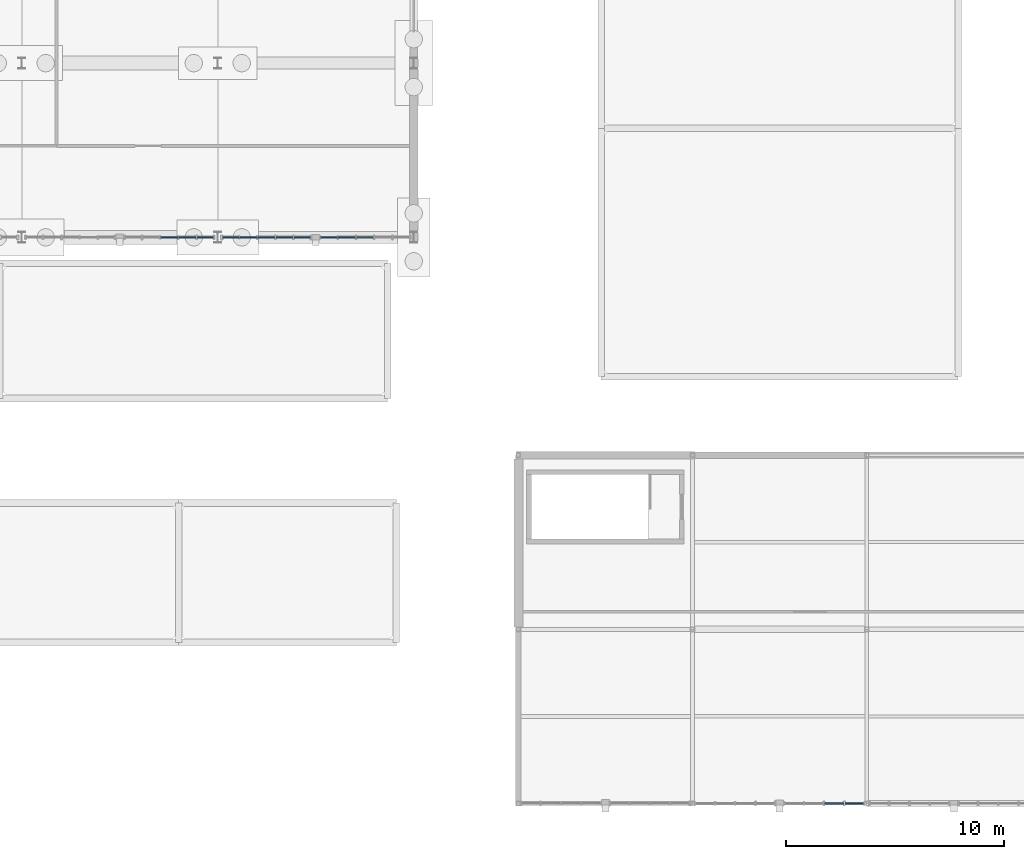
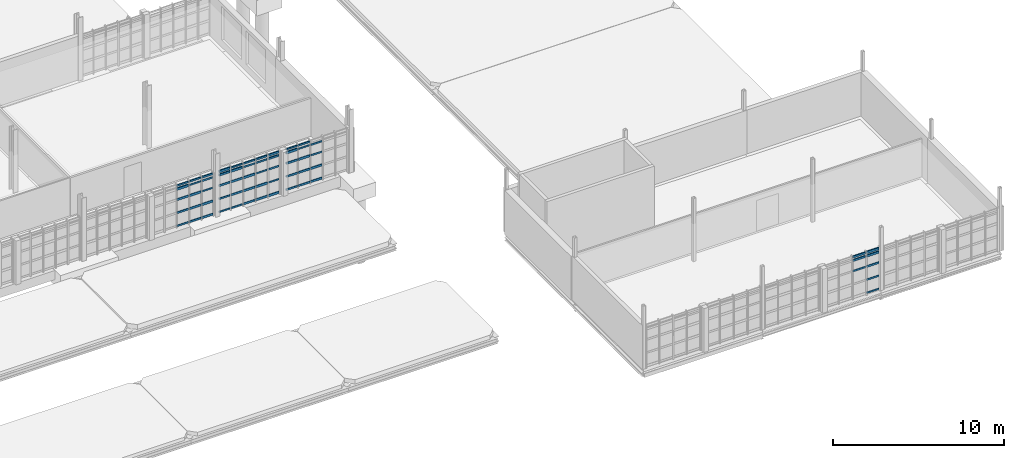
# One storey, part 68 of 125: 62 members, 4 elements without a shape of their own.
"""IFC4 building model written with IfcOpenShell, lengths in metres."""

from ifc_helpers import new_model, si_unit, direction, frame, origin, origin_2d, place, context, subcontext, project, spatial, rectangle, extrude, material, material_profile, profile_set, type_object, element, aggregate, save


model = new_model("IFC4")

# Units and contexts
model_context = context("Model", 3, precision=1e-05, world=origin(), true_north=direction((0.0, 1.0)))
body_context = subcontext(model_context, "Body", "Model", "MODEL_VIEW")
ifc_project = project(units=[si_unit("LENGTHUNIT", "METRE"), si_unit("AREAUNIT", "SQUARE_METRE"), si_unit("VOLUMEUNIT", "CUBIC_METRE"), si_unit("PLANEANGLEUNIT", "RADIAN"), si_unit("MASSUNIT", "GRAM", prefix="KILO")], contexts=[model_context])

# Site, building, storey
site_placement = place(None, origin())
site = spatial("IfcSite", under=ifc_project, at=site_placement, CompositionType="ELEMENT")
building_placement = place(site_placement, origin())
building = spatial("IfcBuilding", under=site, at=building_placement, Name="Serraforn Aerial Cableway Station", CompositionType="ELEMENT")
storey_placement = place(building_placement, frame((0.0, 0.0, 4.5)))
storey = spatial("IfcBuildingStorey", under=building, at=storey_placement, Name="L01", CompositionType="ELEMENT", Elevation=4.5)

# Curtain wall, member
ifc_material_1 = material(Name="Anodised bronze unitised curtain wall")
curtain_wall_type_1 = type_object("IfcCurtainWallType", Name="CW-SYS-6", PredefinedType="USERDEFINED", material=ifc_material_1)
curtain_wall_1_placement = place(storey_placement, origin())
curtain_wall_1 = element("IfcCurtainWall", 1, at=curtain_wall_1_placement, inside=storey, type_object=curtain_wall_type_1, Name="Unitised Curtain Wall CW-ES-L01-S2B", ObjectType="UNITISED CURTAIN WALL", PredefinedType="USERDEFINED")
ifc_material_2 = material(Name="Anodised bronze extruded aluminium", Category="aluminium")
ifc_material_profile_1 = material_profile(ifc_material_2, rectangle(XDim=0.054931640625, YDim=0.110107421875, at=origin_2d()), Name="CW TRANSOM 55x110")
ifc_profile_set_1 = profile_set([ifc_material_profile_1], Name="Anodised bronze extruded aluminium")
member_type_1 = type_object("IfcMemberType", Name="CW-TRN-1", PredefinedType="USERDEFINED", material=ifc_profile_set_1)
member_1_placement = place(storey_placement, frame((159.007080078125, 0.0, 0.124755859375), z_axis=(1.0, 0.0, 0.0), x_axis=(0.0, 1.0, 0.0)))
member_1 = element("IfcMember", 2, at=member_1_placement, type_object=member_type_1, Name="Curtain Wall Transom CW-ES-L01-S2B-T4-1", ObjectType="TRANSOM", PredefinedType="USERDEFINED", context=body_context, shape_type="SweptSolid", body=[
    extrude(rectangle(XDim=0.054931640625, YDim=0.110107421875, at=origin_2d()), origin(), (0.0, 0.0, 1.0), 0.842041015625),
])

# Curtain wall, members
curtain_wall_type_2 = type_object("IfcCurtainWallType", Name="CW-SYS-18", PredefinedType="USERDEFINED", material=ifc_material_1)
curtain_wall_2_placement = place(storey_placement, origin())
curtain_wall_2 = element("IfcCurtainWall", 3, at=curtain_wall_2_placement, inside=storey, type_object=curtain_wall_type_2, Name="Unitised Curtain Wall CW-EL-L01-S4B", ObjectType="UNITISED CURTAIN WALL", PredefinedType="USERDEFINED")
member_2_placement = place(storey_placement, frame((127.57421875, 26.0, 2.9951171875), z_axis=(1.0, 0.0, 0.0), x_axis=(0.0, 1.0, 0.0)))
member_2 = element("IfcMember", 4, at=member_2_placement, type_object=member_type_1, Name="Curtain Wall Transom CW-EL-L01-S4B-T3-5", ObjectType="TRANSOM", PredefinedType="USERDEFINED", context=body_context, shape_type="SweptSolid", body=[
    extrude(rectangle(XDim=0.054931640625, YDim=0.110107421875, at=origin_2d()), origin(), (0.0, 0.0, 1.0), 0.781005859375),
])
member_3_placement = place(storey_placement, frame((128.4111328125, 26.0, 2.74560546875), z_axis=(1.0, 0.0, 0.0), x_axis=(0.0, 1.0, 0.0)))
member_3 = element("IfcMember", 5, at=member_3_placement, type_object=member_type_1, Name="Curtain Wall Transom CW-EL-L01-S4B-T4-4", ObjectType="TRANSOM", PredefinedType="USERDEFINED", context=body_context, shape_type="SweptSolid", body=[
    extrude(rectangle(XDim=0.054931640625, YDim=0.110107421875, at=origin_2d()), origin(), (0.0, 0.0, 1.0), 0.77587890625),
])
member_4_placement = place(storey_placement, frame((129.248046875, 26.0, 1.996826171875), z_axis=(1.0, 0.0, 0.0), x_axis=(0.0, 1.0, 0.0)))
member_4 = element("IfcMember", 6, at=member_4_placement, type_object=member_type_1, Name="Curtain Wall Transom CW-EL-L01-S4B-T5-3", ObjectType="TRANSOM", PredefinedType="USERDEFINED", context=body_context, shape_type="SweptSolid", body=[
    extrude(rectangle(XDim=0.054931640625, YDim=0.110107421875, at=origin_2d()), origin(), (0.0, 0.0, 1.0), 0.73583984375),
])

curtain_wall_type_3 = type_object("IfcCurtainWallType", Name="CW-SYS-19", PredefinedType="USERDEFINED", material=ifc_material_1)
curtain_wall_3_placement = place(storey_placement, origin())
curtain_wall_3 = element("IfcCurtainWall", 7, at=curtain_wall_3_placement, inside=storey, type_object=curtain_wall_type_3, Name="Unitised Curtain Wall CW-EL-L01-S5A", ObjectType="UNITISED CURTAIN WALL", PredefinedType="USERDEFINED")
member_5_placement = place(storey_placement, frame((130.4208984375, 26.0, 0.124755859375), z_axis=(1.0, 0.0, 0.0), x_axis=(0.0, 1.0, 0.0)))
member_5 = element("IfcMember", 8, at=member_5_placement, type_object=member_type_1, Name="Curtain Wall Transom CW-EL-L01-S5A-T1-1", ObjectType="TRANSOM", PredefinedType="USERDEFINED", context=body_context, shape_type="SweptSolid", body=[
    extrude(rectangle(XDim=0.054931640625, YDim=0.110107421875, at=origin_2d()), origin(), (0.0, 0.0, 1.0), 0.736083984375),
])
member_6_placement = place(storey_placement, frame((131.2080078125, 26.0, 2.9951171875), z_axis=(1.0, 0.0, 0.0), x_axis=(0.0, 1.0, 0.0)))
member_6 = element("IfcMember", 9, at=member_6_placement, type_object=member_type_1, Name="Curtain Wall Transom CW-EL-L01-S5A-T2-5", ObjectType="TRANSOM", PredefinedType="USERDEFINED", context=body_context, shape_type="SweptSolid", body=[
    extrude(rectangle(XDim=0.054931640625, YDim=0.110107421875, at=origin_2d()), origin(), (0.0, 0.0, 1.0), 0.78076171875),
])
member_7_placement = place(storey_placement, frame((132.044921875, 26.0, 2.74560546875), z_axis=(1.0, 0.0, 0.0), x_axis=(0.0, 1.0, 0.0)))
member_7 = element("IfcMember", 10, at=member_7_placement, type_object=member_type_1, Name="Curtain Wall Transom CW-EL-L01-S5A-T3-4", ObjectType="TRANSOM", PredefinedType="USERDEFINED", context=body_context, shape_type="SweptSolid", body=[
    extrude(rectangle(XDim=0.054931640625, YDim=0.110107421875, at=origin_2d()), origin(), (0.0, 0.0, 1.0), 0.77587890625),
])
member_8_placement = place(storey_placement, frame((132.881591796875, 26.0, 1.996826171875), z_axis=(1.0, 0.0, 0.0), x_axis=(0.0, 1.0, 0.0)))
member_8 = element("IfcMember", 11, at=member_8_placement, type_object=member_type_1, Name="Curtain Wall Transom CW-EL-L01-S5A-T4-3", ObjectType="TRANSOM", PredefinedType="USERDEFINED", context=body_context, shape_type="SweptSolid", body=[
    extrude(rectangle(XDim=0.054931640625, YDim=0.110107421875, at=origin_2d()), origin(), (0.0, 0.0, 1.0), 0.77099609375),
])
member_9_placement = place(storey_placement, frame((133.718505859375, 26.0, 1.060791015625), z_axis=(1.0, 0.0, 0.0), x_axis=(0.0, 1.0, 0.0)))
member_9 = element("IfcMember", 12, at=member_9_placement, type_object=member_type_1, Name="Curtain Wall Transom CW-EL-L01-S5A-T5-2", ObjectType="TRANSOM", PredefinedType="USERDEFINED", context=body_context, shape_type="SweptSolid", body=[
    extrude(rectangle(XDim=0.054931640625, YDim=0.110107421875, at=origin_2d()), origin(), (0.0, 0.0, 1.0), 0.728515625),
])

curtain_wall_type_4 = type_object("IfcCurtainWallType", Name="CW-SYS-20", PredefinedType="USERDEFINED", material=ifc_material_1)
curtain_wall_4_placement = place(storey_placement, origin())
curtain_wall_4 = element("IfcCurtainWall", 13, at=curtain_wall_4_placement, inside=storey, type_object=curtain_wall_type_4, Name="Unitised Curtain Wall CW-EL-L01-S5B", ObjectType="UNITISED CURTAIN WALL", PredefinedType="USERDEFINED")
member_10_placement = place(storey_placement, frame((134.93310546875, 26.0, 2.9951171875), z_axis=(1.0, 0.0, 0.0), x_axis=(0.0, 1.0, 0.0)))
member_10 = element("IfcMember", 14, at=member_10_placement, type_object=member_type_1, Name="Curtain Wall Transom CW-EL-L01-S5B-T1-5", ObjectType="TRANSOM", PredefinedType="USERDEFINED", context=body_context, shape_type="SweptSolid", body=[
    extrude(rectangle(XDim=0.054931640625, YDim=0.110107421875, at=origin_2d()), origin(), (0.0, 0.0, 1.0), 0.753173828125),
])
member_11_placement = place(storey_placement, frame((135.742431640625, 26.0, 2.74560546875), z_axis=(1.0, 0.0, 0.0), x_axis=(0.0, 1.0, 0.0)))
member_11 = element("IfcMember", 15, at=member_11_placement, type_object=member_type_1, Name="Curtain Wall Transom CW-EL-L01-S5B-T2-4", ObjectType="TRANSOM", PredefinedType="USERDEFINED", context=body_context, shape_type="SweptSolid", body=[
    extrude(rectangle(XDim=0.054931640625, YDim=0.110107421875, at=origin_2d()), origin(), (0.0, 0.0, 1.0), 0.77587890625),
])
member_12_placement = place(storey_placement, frame((136.579345703125, 26.0, 1.996826171875), z_axis=(1.0, 0.0, 0.0), x_axis=(0.0, 1.0, 0.0)))
member_12 = element("IfcMember", 16, at=member_12_placement, type_object=member_type_1, Name="Curtain Wall Transom CW-EL-L01-S5B-T3-3", ObjectType="TRANSOM", PredefinedType="USERDEFINED", context=body_context, shape_type="SweptSolid", body=[
    extrude(rectangle(XDim=0.054931640625, YDim=0.110107421875, at=origin_2d()), origin(), (0.0, 0.0, 1.0), 0.770751953125),
])

# Member
ifc_material_profile_2 = material_profile(ifc_material_2, rectangle(XDim=0.06005859375, YDim=0.1201171875, at=origin_2d()), Name="CW TRANSOM 60x120")
ifc_profile_set_2 = profile_set([ifc_material_profile_2], Name="Anodised bronze extruded aluminium")
member_type_2 = type_object("IfcMemberType", Name="CW-TRN-2", PredefinedType="USERDEFINED", material=ifc_profile_set_2)
member_13_placement = place(storey_placement, frame((158.073974609375, 0.0, 1.996826171875), z_axis=(1.0, 0.0, 0.0), x_axis=(0.0, 1.0, 0.0)))
member_13 = element("IfcMember", 17, at=member_13_placement, type_object=member_type_2, Name="Curtain Wall Transom CW-ES-L01-S2B-T3-3", ObjectType="TRANSOM", PredefinedType="USERDEFINED", context=body_context, shape_type="SweptSolid", body=[
    extrude(rectangle(XDim=0.06005859375, YDim=0.1201171875, at=origin_2d()), origin(), (0.0, 0.0, 1.0), 0.862060546875),
])

member_14_placement = place(storey_placement, frame((159.007080078125, 0.0, 1.060791015625), z_axis=(1.0, 0.0, 0.0), x_axis=(0.0, 1.0, 0.0)))
member_14 = element("IfcMember", 18, at=member_14_placement, type_object=member_type_2, Name="Curtain Wall Transom CW-ES-L01-S2B-T4-2", ObjectType="TRANSOM", PredefinedType="USERDEFINED", context=body_context, shape_type="SweptSolid", body=[
    extrude(rectangle(XDim=0.06005859375, YDim=0.1201171875, at=origin_2d()), origin(), (0.0, 0.0, 1.0), 0.842041015625),
])

member_15_placement = place(storey_placement, frame((127.57421875, 26.0, 0.124755859375), z_axis=(1.0, 0.0, 0.0), x_axis=(0.0, 1.0, 0.0)))
member_15 = element("IfcMember", 19, at=member_15_placement, type_object=member_type_2, Name="Curtain Wall Transom CW-EL-L01-S4B-T3-1", ObjectType="TRANSOM", PredefinedType="USERDEFINED", context=body_context, shape_type="SweptSolid", body=[
    extrude(rectangle(XDim=0.06005859375, YDim=0.1201171875, at=origin_2d()), origin(), (0.0, 0.0, 1.0), 0.781005859375),
])

member_16_placement = place(storey_placement, frame((128.4111328125, 26.0, 2.9951171875), z_axis=(1.0, 0.0, 0.0), x_axis=(0.0, 1.0, 0.0)))
member_16 = element("IfcMember", 20, at=member_16_placement, type_object=member_type_2, Name="Curtain Wall Transom CW-EL-L01-S4B-T4-5", ObjectType="TRANSOM", PredefinedType="USERDEFINED", context=body_context, shape_type="SweptSolid", body=[
    extrude(rectangle(XDim=0.06005859375, YDim=0.1201171875, at=origin_2d()), origin(), (0.0, 0.0, 1.0), 0.77587890625),
])

member_17_placement = place(storey_placement, frame((129.248046875, 26.0, 2.74560546875), z_axis=(1.0, 0.0, 0.0), x_axis=(0.0, 1.0, 0.0)))
member_17 = element("IfcMember", 21, at=member_17_placement, type_object=member_type_2, Name="Curtain Wall Transom CW-EL-L01-S4B-T5-4", ObjectType="TRANSOM", PredefinedType="USERDEFINED", context=body_context, shape_type="SweptSolid", body=[
    extrude(rectangle(XDim=0.06005859375, YDim=0.1201171875, at=origin_2d()), origin(), (0.0, 0.0, 1.0), 0.73583984375),
])

member_18_placement = place(storey_placement, frame((130.4208984375, 26.0, 1.060791015625), z_axis=(1.0, 0.0, 0.0), x_axis=(0.0, 1.0, 0.0)))
member_18 = element("IfcMember", 22, at=member_18_placement, type_object=member_type_2, Name="Curtain Wall Transom CW-EL-L01-S5A-T1-2", ObjectType="TRANSOM", PredefinedType="USERDEFINED", context=body_context, shape_type="SweptSolid", body=[
    extrude(rectangle(XDim=0.06005859375, YDim=0.1201171875, at=origin_2d()), origin(), (0.0, 0.0, 1.0), 0.736083984375),
])

member_19_placement = place(storey_placement, frame((131.2080078125, 26.0, 0.124755859375), z_axis=(1.0, 0.0, 0.0), x_axis=(0.0, 1.0, 0.0)))
member_19 = element("IfcMember", 23, at=member_19_placement, type_object=member_type_2, Name="Curtain Wall Transom CW-EL-L01-S5A-T2-1", ObjectType="TRANSOM", PredefinedType="USERDEFINED", context=body_context, shape_type="SweptSolid", body=[
    extrude(rectangle(XDim=0.06005859375, YDim=0.1201171875, at=origin_2d()), origin(), (0.0, 0.0, 1.0), 0.78076171875),
])

member_20_placement = place(storey_placement, frame((132.044921875, 26.0, 2.9951171875), z_axis=(1.0, 0.0, 0.0), x_axis=(0.0, 1.0, 0.0)))
member_20 = element("IfcMember", 24, at=member_20_placement, type_object=member_type_2, Name="Curtain Wall Transom CW-EL-L01-S5A-T3-5", ObjectType="TRANSOM", PredefinedType="USERDEFINED", context=body_context, shape_type="SweptSolid", body=[
    extrude(rectangle(XDim=0.06005859375, YDim=0.1201171875, at=origin_2d()), origin(), (0.0, 0.0, 1.0), 0.77587890625),
])

member_21_placement = place(storey_placement, frame((132.881591796875, 26.0, 2.74560546875), z_axis=(1.0, 0.0, 0.0), x_axis=(0.0, 1.0, 0.0)))
member_21 = element("IfcMember", 25, at=member_21_placement, type_object=member_type_2, Name="Curtain Wall Transom CW-EL-L01-S5A-T4-4", ObjectType="TRANSOM", PredefinedType="USERDEFINED", context=body_context, shape_type="SweptSolid", body=[
    extrude(rectangle(XDim=0.06005859375, YDim=0.1201171875, at=origin_2d()), origin(), (0.0, 0.0, 1.0), 0.77099609375),
])

member_22_placement = place(storey_placement, frame((133.718505859375, 26.0, 1.996826171875), z_axis=(1.0, 0.0, 0.0), x_axis=(0.0, 1.0, 0.0)))
member_22 = element("IfcMember", 26, at=member_22_placement, type_object=member_type_2, Name="Curtain Wall Transom CW-EL-L01-S5A-T5-3", ObjectType="TRANSOM", PredefinedType="USERDEFINED", context=body_context, shape_type="SweptSolid", body=[
    extrude(rectangle(XDim=0.06005859375, YDim=0.1201171875, at=origin_2d()), origin(), (0.0, 0.0, 1.0), 0.728515625),
])

member_23_placement = place(storey_placement, frame((134.93310546875, 26.0, 0.124755859375), z_axis=(1.0, 0.0, 0.0), x_axis=(0.0, 1.0, 0.0)))
member_23 = element("IfcMember", 27, at=member_23_placement, type_object=member_type_2, Name="Curtain Wall Transom CW-EL-L01-S5B-T1-1", ObjectType="TRANSOM", PredefinedType="USERDEFINED", context=body_context, shape_type="SweptSolid", body=[
    extrude(rectangle(XDim=0.06005859375, YDim=0.1201171875, at=origin_2d()), origin(), (0.0, 0.0, 1.0), 0.753173828125),
])

member_24_placement = place(storey_placement, frame((135.742431640625, 26.0, 2.9951171875), z_axis=(1.0, 0.0, 0.0), x_axis=(0.0, 1.0, 0.0)))
member_24 = element("IfcMember", 28, at=member_24_placement, type_object=member_type_2, Name="Curtain Wall Transom CW-EL-L01-S5B-T2-5", ObjectType="TRANSOM", PredefinedType="USERDEFINED", context=body_context, shape_type="SweptSolid", body=[
    extrude(rectangle(XDim=0.06005859375, YDim=0.1201171875, at=origin_2d()), origin(), (0.0, 0.0, 1.0), 0.77587890625),
])

member_25_placement = place(storey_placement, frame((136.579345703125, 26.0, 2.74560546875), z_axis=(1.0, 0.0, 0.0), x_axis=(0.0, 1.0, 0.0)))
member_25 = element("IfcMember", 29, at=member_25_placement, type_object=member_type_2, Name="Curtain Wall Transom CW-EL-L01-S5B-T3-4", ObjectType="TRANSOM", PredefinedType="USERDEFINED", context=body_context, shape_type="SweptSolid", body=[
    extrude(rectangle(XDim=0.06005859375, YDim=0.1201171875, at=origin_2d()), origin(), (0.0, 0.0, 1.0), 0.770751953125),
])

ifc_material_profile_3 = material_profile(ifc_material_2, rectangle(XDim=0.06494140625, YDim=0.135009765625, at=origin_2d()), Name="CW TRANSOM 65x135")
ifc_profile_set_3 = profile_set([ifc_material_profile_3], Name="Anodised bronze extruded aluminium")
member_type_3 = type_object("IfcMemberType", Name="CW-TRN-3", PredefinedType="USERDEFINED", material=ifc_profile_set_3)
member_26_placement = place(storey_placement, frame((158.073974609375, 0.0, 2.74560546875), z_axis=(1.0, 0.0, 0.0), x_axis=(0.0, 1.0, 0.0)))
member_26 = element("IfcMember", 30, at=member_26_placement, type_object=member_type_3, Name="Curtain Wall Transom CW-ES-L01-S2B-T3-4", ObjectType="TRANSOM", PredefinedType="USERDEFINED", context=body_context, shape_type="SweptSolid", body=[
    extrude(rectangle(XDim=0.06494140625, YDim=0.135009765625, at=origin_2d()), origin(), (0.0, 0.0, 1.0), 0.862060546875),
])

member_27_placement = place(storey_placement, frame((159.007080078125, 0.0, 1.996826171875), z_axis=(1.0, 0.0, 0.0), x_axis=(0.0, 1.0, 0.0)))
member_27 = element("IfcMember", 31, at=member_27_placement, type_object=member_type_3, Name="Curtain Wall Transom CW-ES-L01-S2B-T4-3", ObjectType="TRANSOM", PredefinedType="USERDEFINED", context=body_context, shape_type="SweptSolid", body=[
    extrude(rectangle(XDim=0.06494140625, YDim=0.135009765625, at=origin_2d()), origin(), (0.0, 0.0, 1.0), 0.842041015625),
])

member_28_placement = place(storey_placement, frame((127.57421875, 26.0, 1.060791015625), z_axis=(1.0, 0.0, 0.0), x_axis=(0.0, 1.0, 0.0)))
member_28 = element("IfcMember", 32, at=member_28_placement, type_object=member_type_3, Name="Curtain Wall Transom CW-EL-L01-S4B-T3-2", ObjectType="TRANSOM", PredefinedType="USERDEFINED", context=body_context, shape_type="SweptSolid", body=[
    extrude(rectangle(XDim=0.06494140625, YDim=0.135009765625, at=origin_2d()), origin(), (0.0, 0.0, 1.0), 0.781005859375),
])

member_29_placement = place(storey_placement, frame((128.4111328125, 26.0, 0.124755859375), z_axis=(1.0, 0.0, 0.0), x_axis=(0.0, 1.0, 0.0)))
member_29 = element("IfcMember", 33, at=member_29_placement, type_object=member_type_3, Name="Curtain Wall Transom CW-EL-L01-S4B-T4-1", ObjectType="TRANSOM", PredefinedType="USERDEFINED", context=body_context, shape_type="SweptSolid", body=[
    extrude(rectangle(XDim=0.06494140625, YDim=0.135009765625, at=origin_2d()), origin(), (0.0, 0.0, 1.0), 0.77587890625),
])

member_30_placement = place(storey_placement, frame((129.248046875, 26.0, 2.9951171875), z_axis=(1.0, 0.0, 0.0), x_axis=(0.0, 1.0, 0.0)))
member_30 = element("IfcMember", 34, at=member_30_placement, type_object=member_type_3, Name="Curtain Wall Transom CW-EL-L01-S4B-T5-5", ObjectType="TRANSOM", PredefinedType="USERDEFINED", context=body_context, shape_type="SweptSolid", body=[
    extrude(rectangle(XDim=0.06494140625, YDim=0.135009765625, at=origin_2d()), origin(), (0.0, 0.0, 1.0), 0.73583984375),
])

member_31_placement = place(storey_placement, frame((130.4208984375, 26.0, 1.996826171875), z_axis=(1.0, 0.0, 0.0), x_axis=(0.0, 1.0, 0.0)))
member_31 = element("IfcMember", 35, at=member_31_placement, type_object=member_type_3, Name="Curtain Wall Transom CW-EL-L01-S5A-T1-3", ObjectType="TRANSOM", PredefinedType="USERDEFINED", context=body_context, shape_type="SweptSolid", body=[
    extrude(rectangle(XDim=0.06494140625, YDim=0.135009765625, at=origin_2d()), origin(), (0.0, 0.0, 1.0), 0.736083984375),
])

member_32_placement = place(storey_placement, frame((131.2080078125, 26.0, 1.060791015625), z_axis=(1.0, 0.0, 0.0), x_axis=(0.0, 1.0, 0.0)))
member_32 = element("IfcMember", 36, at=member_32_placement, type_object=member_type_3, Name="Curtain Wall Transom CW-EL-L01-S5A-T2-2", ObjectType="TRANSOM", PredefinedType="USERDEFINED", context=body_context, shape_type="SweptSolid", body=[
    extrude(rectangle(XDim=0.06494140625, YDim=0.135009765625, at=origin_2d()), origin(), (0.0, 0.0, 1.0), 0.78076171875),
])

member_33_placement = place(storey_placement, frame((132.044921875, 26.0, 0.124755859375), z_axis=(1.0, 0.0, 0.0), x_axis=(0.0, 1.0, 0.0)))
member_33 = element("IfcMember", 37, at=member_33_placement, type_object=member_type_3, Name="Curtain Wall Transom CW-EL-L01-S5A-T3-1", ObjectType="TRANSOM", PredefinedType="USERDEFINED", context=body_context, shape_type="SweptSolid", body=[
    extrude(rectangle(XDim=0.06494140625, YDim=0.135009765625, at=origin_2d()), origin(), (0.0, 0.0, 1.0), 0.77587890625),
])

member_34_placement = place(storey_placement, frame((132.881591796875, 26.0, 2.9951171875), z_axis=(1.0, 0.0, 0.0), x_axis=(0.0, 1.0, 0.0)))
member_34 = element("IfcMember", 38, at=member_34_placement, type_object=member_type_3, Name="Curtain Wall Transom CW-EL-L01-S5A-T4-5", ObjectType="TRANSOM", PredefinedType="USERDEFINED", context=body_context, shape_type="SweptSolid", body=[
    extrude(rectangle(XDim=0.06494140625, YDim=0.135009765625, at=origin_2d()), origin(), (0.0, 0.0, 1.0), 0.77099609375),
])

member_35_placement = place(storey_placement, frame((133.718505859375, 26.0, 2.74560546875), z_axis=(1.0, 0.0, 0.0), x_axis=(0.0, 1.0, 0.0)))
member_35 = element("IfcMember", 39, at=member_35_placement, type_object=member_type_3, Name="Curtain Wall Transom CW-EL-L01-S5A-T5-4", ObjectType="TRANSOM", PredefinedType="USERDEFINED", context=body_context, shape_type="SweptSolid", body=[
    extrude(rectangle(XDim=0.06494140625, YDim=0.135009765625, at=origin_2d()), origin(), (0.0, 0.0, 1.0), 0.728515625),
])

member_36_placement = place(storey_placement, frame((134.93310546875, 26.0, 1.060791015625), z_axis=(1.0, 0.0, 0.0), x_axis=(0.0, 1.0, 0.0)))
member_36 = element("IfcMember", 40, at=member_36_placement, type_object=member_type_3, Name="Curtain Wall Transom CW-EL-L01-S5B-T1-2", ObjectType="TRANSOM", PredefinedType="USERDEFINED", context=body_context, shape_type="SweptSolid", body=[
    extrude(rectangle(XDim=0.06494140625, YDim=0.135009765625, at=origin_2d()), origin(), (0.0, 0.0, 1.0), 0.753173828125),
])

member_37_placement = place(storey_placement, frame((135.742431640625, 26.0, 0.124755859375), z_axis=(1.0, 0.0, 0.0), x_axis=(0.0, 1.0, 0.0)))
member_37 = element("IfcMember", 41, at=member_37_placement, type_object=member_type_3, Name="Curtain Wall Transom CW-EL-L01-S5B-T2-1", ObjectType="TRANSOM", PredefinedType="USERDEFINED", context=body_context, shape_type="SweptSolid", body=[
    extrude(rectangle(XDim=0.06494140625, YDim=0.135009765625, at=origin_2d()), origin(), (0.0, 0.0, 1.0), 0.77587890625),
])

ifc_material_profile_4 = material_profile(ifc_material_2, rectangle(XDim=0.070068359375, YDim=0.14990234375, at=origin_2d()), Name="CW TRANSOM 70x150")
ifc_profile_set_4 = profile_set([ifc_material_profile_4], Name="Anodised bronze extruded aluminium")
member_type_4 = type_object("IfcMemberType", Name="CW-TRN-4", PredefinedType="USERDEFINED", material=ifc_profile_set_4)
member_38_placement = place(storey_placement, frame((158.073974609375, 0.0, 2.9951171875), z_axis=(1.0, 0.0, 0.0), x_axis=(0.0, 1.0, 0.0)))
member_38 = element("IfcMember", 42, at=member_38_placement, type_object=member_type_4, Name="Curtain Wall Transom CW-ES-L01-S2B-T3-5", ObjectType="TRANSOM", PredefinedType="USERDEFINED", context=body_context, shape_type="SweptSolid", body=[
    extrude(rectangle(XDim=0.070068359375, YDim=0.14990234375, at=origin_2d()), origin(), (0.0, 0.0, 1.0), 0.862060546875),
])

member_39_placement = place(storey_placement, frame((159.007080078125, 0.0, 2.74560546875), z_axis=(1.0, 0.0, 0.0), x_axis=(0.0, 1.0, 0.0)))
member_39 = element("IfcMember", 43, at=member_39_placement, type_object=member_type_4, Name="Curtain Wall Transom CW-ES-L01-S2B-T4-4", ObjectType="TRANSOM", PredefinedType="USERDEFINED", context=body_context, shape_type="SweptSolid", body=[
    extrude(rectangle(XDim=0.070068359375, YDim=0.14990234375, at=origin_2d()), origin(), (0.0, 0.0, 1.0), 0.842041015625),
])

member_40_placement = place(storey_placement, frame((127.57421875, 26.0, 1.996826171875), z_axis=(1.0, 0.0, 0.0), x_axis=(0.0, 1.0, 0.0)))
member_40 = element("IfcMember", 44, at=member_40_placement, type_object=member_type_4, Name="Curtain Wall Transom CW-EL-L01-S4B-T3-3", ObjectType="TRANSOM", PredefinedType="USERDEFINED", context=body_context, shape_type="SweptSolid", body=[
    extrude(rectangle(XDim=0.070068359375, YDim=0.14990234375, at=origin_2d()), origin(), (0.0, 0.0, 1.0), 0.781005859375),
])

member_41_placement = place(storey_placement, frame((128.4111328125, 26.0, 1.060791015625), z_axis=(1.0, 0.0, 0.0), x_axis=(0.0, 1.0, 0.0)))
member_41 = element("IfcMember", 45, at=member_41_placement, type_object=member_type_4, Name="Curtain Wall Transom CW-EL-L01-S4B-T4-2", ObjectType="TRANSOM", PredefinedType="USERDEFINED", context=body_context, shape_type="SweptSolid", body=[
    extrude(rectangle(XDim=0.070068359375, YDim=0.14990234375, at=origin_2d()), origin(), (0.0, 0.0, 1.0), 0.77587890625),
])

member_42_placement = place(storey_placement, frame((129.248046875, 26.0, 0.124755859375), z_axis=(1.0, 0.0, 0.0), x_axis=(0.0, 1.0, 0.0)))
member_42 = element("IfcMember", 46, at=member_42_placement, type_object=member_type_4, Name="Curtain Wall Transom CW-EL-L01-S4B-T5-1", ObjectType="TRANSOM", PredefinedType="USERDEFINED", context=body_context, shape_type="SweptSolid", body=[
    extrude(rectangle(XDim=0.070068359375, YDim=0.14990234375, at=origin_2d()), origin(), (0.0, 0.0, 1.0), 0.73583984375),
])

member_43_placement = place(storey_placement, frame((130.4208984375, 26.0, 2.74560546875), z_axis=(1.0, 0.0, 0.0), x_axis=(0.0, 1.0, 0.0)))
member_43 = element("IfcMember", 47, at=member_43_placement, type_object=member_type_4, Name="Curtain Wall Transom CW-EL-L01-S5A-T1-4", ObjectType="TRANSOM", PredefinedType="USERDEFINED", context=body_context, shape_type="SweptSolid", body=[
    extrude(rectangle(XDim=0.070068359375, YDim=0.14990234375, at=origin_2d()), origin(), (0.0, 0.0, 1.0), 0.736083984375),
])

member_44_placement = place(storey_placement, frame((131.2080078125, 26.0, 1.996826171875), z_axis=(1.0, 0.0, 0.0), x_axis=(0.0, 1.0, 0.0)))
member_44 = element("IfcMember", 48, at=member_44_placement, type_object=member_type_4, Name="Curtain Wall Transom CW-EL-L01-S5A-T2-3", ObjectType="TRANSOM", PredefinedType="USERDEFINED", context=body_context, shape_type="SweptSolid", body=[
    extrude(rectangle(XDim=0.070068359375, YDim=0.14990234375, at=origin_2d()), origin(), (0.0, 0.0, 1.0), 0.78076171875),
])

member_45_placement = place(storey_placement, frame((132.044921875, 26.0, 1.060791015625), z_axis=(1.0, 0.0, 0.0), x_axis=(0.0, 1.0, 0.0)))
member_45 = element("IfcMember", 49, at=member_45_placement, type_object=member_type_4, Name="Curtain Wall Transom CW-EL-L01-S5A-T3-2", ObjectType="TRANSOM", PredefinedType="USERDEFINED", context=body_context, shape_type="SweptSolid", body=[
    extrude(rectangle(XDim=0.070068359375, YDim=0.14990234375, at=origin_2d()), origin(), (0.0, 0.0, 1.0), 0.77587890625),
])

member_46_placement = place(storey_placement, frame((132.881591796875, 26.0, 0.124755859375), z_axis=(1.0, 0.0, 0.0), x_axis=(0.0, 1.0, 0.0)))
member_46 = element("IfcMember", 50, at=member_46_placement, type_object=member_type_4, Name="Curtain Wall Transom CW-EL-L01-S5A-T4-1", ObjectType="TRANSOM", PredefinedType="USERDEFINED", context=body_context, shape_type="SweptSolid", body=[
    extrude(rectangle(XDim=0.070068359375, YDim=0.14990234375, at=origin_2d()), origin(), (0.0, 0.0, 1.0), 0.77099609375),
])

member_47_placement = place(storey_placement, frame((133.718505859375, 26.0, 2.9951171875), z_axis=(1.0, 0.0, 0.0), x_axis=(0.0, 1.0, 0.0)))
member_47 = element("IfcMember", 51, at=member_47_placement, type_object=member_type_4, Name="Curtain Wall Transom CW-EL-L01-S5A-T5-5", ObjectType="TRANSOM", PredefinedType="USERDEFINED", context=body_context, shape_type="SweptSolid", body=[
    extrude(rectangle(XDim=0.070068359375, YDim=0.14990234375, at=origin_2d()), origin(), (0.0, 0.0, 1.0), 0.728515625),
])

member_48_placement = place(storey_placement, frame((134.93310546875, 26.0, 1.996826171875), z_axis=(1.0, 0.0, 0.0), x_axis=(0.0, 1.0, 0.0)))
member_48 = element("IfcMember", 52, at=member_48_placement, type_object=member_type_4, Name="Curtain Wall Transom CW-EL-L01-S5B-T1-3", ObjectType="TRANSOM", PredefinedType="USERDEFINED", context=body_context, shape_type="SweptSolid", body=[
    extrude(rectangle(XDim=0.070068359375, YDim=0.14990234375, at=origin_2d()), origin(), (0.0, 0.0, 1.0), 0.753173828125),
])

member_49_placement = place(storey_placement, frame((135.742431640625, 26.0, 1.060791015625), z_axis=(1.0, 0.0, 0.0), x_axis=(0.0, 1.0, 0.0)))
member_49 = element("IfcMember", 53, at=member_49_placement, type_object=member_type_4, Name="Curtain Wall Transom CW-EL-L01-S5B-T2-2", ObjectType="TRANSOM", PredefinedType="USERDEFINED", context=body_context, shape_type="SweptSolid", body=[
    extrude(rectangle(XDim=0.070068359375, YDim=0.14990234375, at=origin_2d()), origin(), (0.0, 0.0, 1.0), 0.77587890625),
])

member_50_placement = place(storey_placement, frame((136.579345703125, 26.0, 0.124755859375), z_axis=(1.0, 0.0, 0.0), x_axis=(0.0, 1.0, 0.0)))
member_50 = element("IfcMember", 54, at=member_50_placement, type_object=member_type_4, Name="Curtain Wall Transom CW-EL-L01-S5B-T3-1", ObjectType="TRANSOM", PredefinedType="USERDEFINED", context=body_context, shape_type="SweptSolid", body=[
    extrude(rectangle(XDim=0.070068359375, YDim=0.14990234375, at=origin_2d()), origin(), (0.0, 0.0, 1.0), 0.770751953125),
])

ifc_material_profile_5 = material_profile(ifc_material_2, rectangle(XDim=0.074951171875, YDim=0.1650390625, at=origin_2d()), Name="CW TRANSOM 75x165")
ifc_profile_set_5 = profile_set([ifc_material_profile_5], Name="Anodised bronze extruded aluminium")
member_type_5 = type_object("IfcMemberType", Name="CW-TRN-5", PredefinedType="USERDEFINED", material=ifc_profile_set_5)
member_51_placement = place(storey_placement, frame((159.007080078125, 0.0, 2.9951171875), z_axis=(1.0, 0.0, 0.0), x_axis=(0.0, 1.0, 0.0)))
member_51 = element("IfcMember", 55, at=member_51_placement, type_object=member_type_5, Name="Curtain Wall Transom CW-ES-L01-S2B-T4-5", ObjectType="TRANSOM", PredefinedType="USERDEFINED", context=body_context, shape_type="SweptSolid", body=[
    extrude(rectangle(XDim=0.074951171875, YDim=0.1650390625, at=origin_2d()), origin(), (0.0, 0.0, 1.0), 0.842041015625),
])

aggregate(curtain_wall_1, [member_13, member_26, member_38, member_1, member_14, member_27, member_39, member_51])

member_52_placement = place(storey_placement, frame((127.57421875, 26.0, 2.74560546875), z_axis=(1.0, 0.0, 0.0), x_axis=(0.0, 1.0, 0.0)))
member_52 = element("IfcMember", 56, at=member_52_placement, type_object=member_type_5, Name="Curtain Wall Transom CW-EL-L01-S4B-T3-4", ObjectType="TRANSOM", PredefinedType="USERDEFINED", context=body_context, shape_type="SweptSolid", body=[
    extrude(rectangle(XDim=0.074951171875, YDim=0.1650390625, at=origin_2d()), origin(), (0.0, 0.0, 1.0), 0.781005859375),
])

member_53_placement = place(storey_placement, frame((128.4111328125, 26.0, 1.996826171875), z_axis=(1.0, 0.0, 0.0), x_axis=(0.0, 1.0, 0.0)))
member_53 = element("IfcMember", 57, at=member_53_placement, type_object=member_type_5, Name="Curtain Wall Transom CW-EL-L01-S4B-T4-3", ObjectType="TRANSOM", PredefinedType="USERDEFINED", context=body_context, shape_type="SweptSolid", body=[
    extrude(rectangle(XDim=0.074951171875, YDim=0.1650390625, at=origin_2d()), origin(), (0.0, 0.0, 1.0), 0.77587890625),
])

member_54_placement = place(storey_placement, frame((129.248046875, 26.0, 1.060791015625), z_axis=(1.0, 0.0, 0.0), x_axis=(0.0, 1.0, 0.0)))
member_54 = element("IfcMember", 58, at=member_54_placement, type_object=member_type_5, Name="Curtain Wall Transom CW-EL-L01-S4B-T5-2", ObjectType="TRANSOM", PredefinedType="USERDEFINED", context=body_context, shape_type="SweptSolid", body=[
    extrude(rectangle(XDim=0.074951171875, YDim=0.1650390625, at=origin_2d()), origin(), (0.0, 0.0, 1.0), 0.73583984375),
])

aggregate(curtain_wall_2, [member_15, member_28, member_40, member_52, member_2, member_29, member_41, member_53, member_3, member_16, member_42, member_54, member_4, member_17, member_30])

member_55_placement = place(storey_placement, frame((130.4208984375, 26.0, 2.9951171875), z_axis=(1.0, 0.0, 0.0), x_axis=(0.0, 1.0, 0.0)))
member_55 = element("IfcMember", 59, at=member_55_placement, type_object=member_type_5, Name="Curtain Wall Transom CW-EL-L01-S5A-T1-5", ObjectType="TRANSOM", PredefinedType="USERDEFINED", context=body_context, shape_type="SweptSolid", body=[
    extrude(rectangle(XDim=0.074951171875, YDim=0.1650390625, at=origin_2d()), origin(), (0.0, 0.0, 1.0), 0.736083984375),
])

member_56_placement = place(storey_placement, frame((131.2080078125, 26.0, 2.74560546875), z_axis=(1.0, 0.0, 0.0), x_axis=(0.0, 1.0, 0.0)))
member_56 = element("IfcMember", 60, at=member_56_placement, type_object=member_type_5, Name="Curtain Wall Transom CW-EL-L01-S5A-T2-4", ObjectType="TRANSOM", PredefinedType="USERDEFINED", context=body_context, shape_type="SweptSolid", body=[
    extrude(rectangle(XDim=0.074951171875, YDim=0.1650390625, at=origin_2d()), origin(), (0.0, 0.0, 1.0), 0.78076171875),
])

member_57_placement = place(storey_placement, frame((132.044921875, 26.0, 1.996826171875), z_axis=(1.0, 0.0, 0.0), x_axis=(0.0, 1.0, 0.0)))
member_57 = element("IfcMember", 61, at=member_57_placement, type_object=member_type_5, Name="Curtain Wall Transom CW-EL-L01-S5A-T3-3", ObjectType="TRANSOM", PredefinedType="USERDEFINED", context=body_context, shape_type="SweptSolid", body=[
    extrude(rectangle(XDim=0.074951171875, YDim=0.1650390625, at=origin_2d()), origin(), (0.0, 0.0, 1.0), 0.77587890625),
])

member_58_placement = place(storey_placement, frame((132.881591796875, 26.0, 1.060791015625), z_axis=(1.0, 0.0, 0.0), x_axis=(0.0, 1.0, 0.0)))
member_58 = element("IfcMember", 62, at=member_58_placement, type_object=member_type_5, Name="Curtain Wall Transom CW-EL-L01-S5A-T4-2", ObjectType="TRANSOM", PredefinedType="USERDEFINED", context=body_context, shape_type="SweptSolid", body=[
    extrude(rectangle(XDim=0.074951171875, YDim=0.1650390625, at=origin_2d()), origin(), (0.0, 0.0, 1.0), 0.77099609375),
])

member_59_placement = place(storey_placement, frame((133.718505859375, 26.0, 0.124755859375), z_axis=(1.0, 0.0, 0.0), x_axis=(0.0, 1.0, 0.0)))
member_59 = element("IfcMember", 63, at=member_59_placement, type_object=member_type_5, Name="Curtain Wall Transom CW-EL-L01-S5A-T5-1", ObjectType="TRANSOM", PredefinedType="USERDEFINED", context=body_context, shape_type="SweptSolid", body=[
    extrude(rectangle(XDim=0.074951171875, YDim=0.1650390625, at=origin_2d()), origin(), (0.0, 0.0, 1.0), 0.728515625),
])

aggregate(curtain_wall_3, [member_5, member_18, member_31, member_43, member_55, member_19, member_32, member_44, member_56, member_6, member_33, member_45, member_57, member_7, member_20, member_46, member_58, member_8, member_21, member_34, member_59, member_9, member_22, member_35, member_47])

member_60_placement = place(storey_placement, frame((134.93310546875, 26.0, 2.74560546875), z_axis=(1.0, 0.0, 0.0), x_axis=(0.0, 1.0, 0.0)))
member_60 = element("IfcMember", 64, at=member_60_placement, type_object=member_type_5, Name="Curtain Wall Transom CW-EL-L01-S5B-T1-4", ObjectType="TRANSOM", PredefinedType="USERDEFINED", context=body_context, shape_type="SweptSolid", body=[
    extrude(rectangle(XDim=0.074951171875, YDim=0.1650390625, at=origin_2d()), origin(), (0.0, 0.0, 1.0), 0.753173828125),
])

member_61_placement = place(storey_placement, frame((135.742431640625, 26.0, 1.996826171875), z_axis=(1.0, 0.0, 0.0), x_axis=(0.0, 1.0, 0.0)))
member_61 = element("IfcMember", 65, at=member_61_placement, type_object=member_type_5, Name="Curtain Wall Transom CW-EL-L01-S5B-T2-3", ObjectType="TRANSOM", PredefinedType="USERDEFINED", context=body_context, shape_type="SweptSolid", body=[
    extrude(rectangle(XDim=0.074951171875, YDim=0.1650390625, at=origin_2d()), origin(), (0.0, 0.0, 1.0), 0.77587890625),
])

member_62_placement = place(storey_placement, frame((136.579345703125, 26.0, 1.060791015625), z_axis=(1.0, 0.0, 0.0), x_axis=(0.0, 1.0, 0.0)))
member_62 = element("IfcMember", 66, at=member_62_placement, type_object=member_type_5, Name="Curtain Wall Transom CW-EL-L01-S5B-T3-2", ObjectType="TRANSOM", PredefinedType="USERDEFINED", context=body_context, shape_type="SweptSolid", body=[
    extrude(rectangle(XDim=0.074951171875, YDim=0.1650390625, at=origin_2d()), origin(), (0.0, 0.0, 1.0), 0.770751953125),
])

aggregate(curtain_wall_4, [member_23, member_36, member_48, member_60, member_10, member_37, member_49, member_61, member_11, member_24, member_50, member_62, member_12, member_25])

save(model, "model.ifc")
